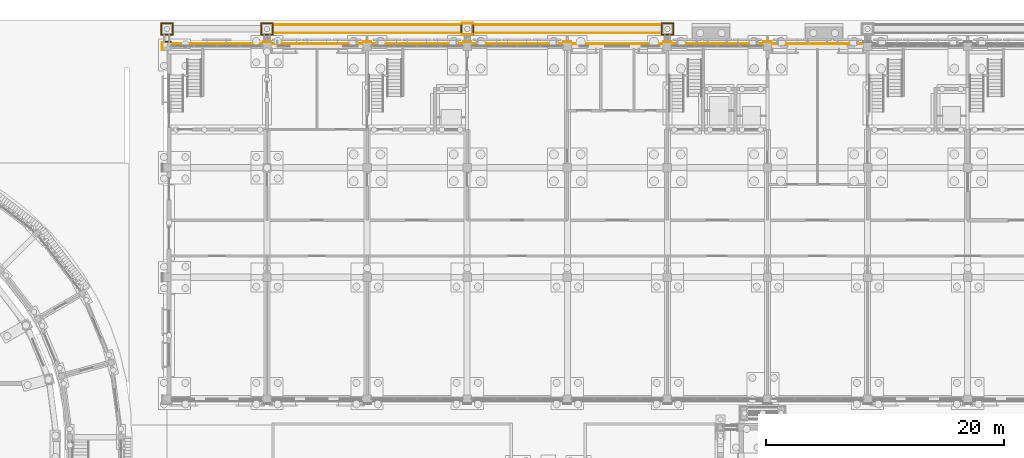
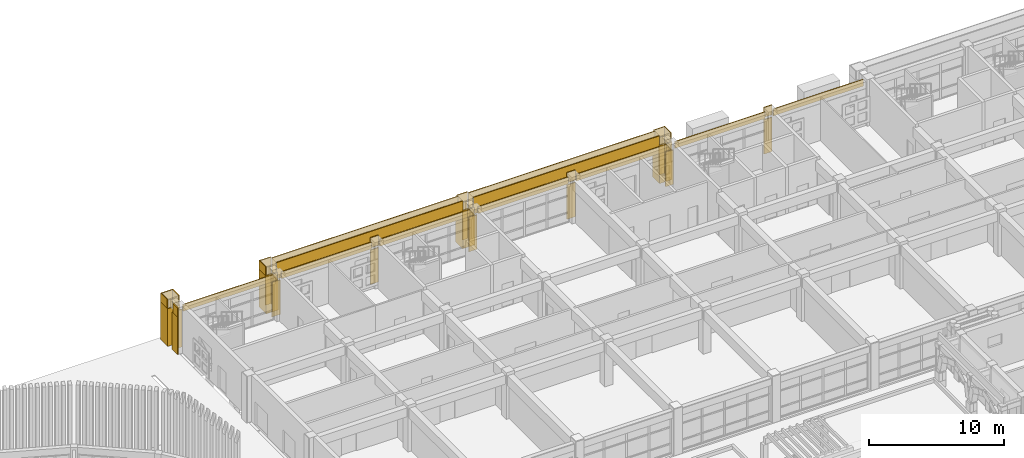
# One storey, part 104 of 112: 38 coverings.
"""IFC4 building model written with IfcOpenShell, lengths in metres."""

from ifc_helpers import new_model, si_unit, direction, frame, origin, place, context, subcontext, project, spatial, polyline, outline, extrude, material, layer, layer_set, type_object, element, save


model = new_model("IFC4")

# Units and contexts
model_context = context("Model", 3, precision=1e-05, world=origin(), true_north=direction((0.0, 1.0)))
body_context = subcontext(model_context, "Body", "Model", "MODEL_VIEW")
ifc_project = project(units=[si_unit("LENGTHUNIT", "METRE"), si_unit("AREAUNIT", "SQUARE_METRE"), si_unit("VOLUMEUNIT", "CUBIC_METRE"), si_unit("PLANEANGLEUNIT", "RADIAN"), si_unit("MASSUNIT", "GRAM", prefix="KILO")], contexts=[model_context])

# Site, building, storey
site_placement = place(None, origin())
site = spatial("IfcSite", under=ifc_project, at=site_placement, CompositionType="ELEMENT")
building_placement = place(site_placement, origin())
building = spatial("IfcBuilding", under=site, at=building_placement, Name="Wasatch Bagh Community Centre", CompositionType="ELEMENT")
storey_placement = place(building_placement, origin())
storey = spatial("IfcBuildingStorey", under=building, at=storey_placement, Name="L00", CompositionType="ELEMENT", Elevation=0.0)

# Coverings
ifc_material = material(Name="Cast stone cladding", Category="masonry")
ifc_layer_1 = layer(ifc_material, 0.080078125)
ifc_layer_set_1 = layer_set([ifc_layer_1], Name="Cast stone cladding")
covering_type_1 = type_object("IfcCoveringType", Name="CL-B7 beam facing", PredefinedType="CLADDING", material=ifc_layer_set_1)
covering_1_placement = place(storey_placement, frame((0.0, 0.0, 3.320068359375)))
element("IfcCovering", 1, at=covering_1_placement, inside=storey, type_object=covering_type_1, Name="Beam facing", PredefinedType="CLADDING", context=body_context, shape_type="SweptSolid", body=[
    extrude(outline(polyline([(64.35009765625, 97.97509765625), (72.050048828125, 97.97509765625), (72.050048828125, 98.054931640625), (64.35009765625, 98.054931640625), (64.35009765625, 97.97509765625)])), origin(), (0.0, 0.0, 1.0), 0.599853515625),
])
covering_2_placement = place(storey_placement, frame((0.0, 0.0, 3.320068359375)))
element("IfcCovering", 2, at=covering_2_placement, inside=storey, type_object=covering_type_1, Name="Beam facing", PredefinedType="CLADDING", context=body_context, shape_type="SweptSolid", body=[
    extrude(outline(polyline([(72.75, 97.97509765625), (80.449951171875, 97.97509765625), (80.449951171875, 98.054931640625), (72.75, 98.054931640625), (72.75, 97.97509765625)])), origin(), (0.0, 0.0, 1.0), 0.599853515625),
])
covering_3_placement = place(storey_placement, frame((0.0, 0.0, 3.320068359375)))
element("IfcCovering", 3, at=covering_3_placement, inside=storey, type_object=covering_type_1, Name="Beam facing", PredefinedType="CLADDING", context=body_context, shape_type="SweptSolid", body=[
    extrude(outline(polyline([(81.14990234375, 97.97509765625), (88.85009765625, 97.97509765625), (88.85009765625, 98.054931640625), (81.14990234375, 98.054931640625), (81.14990234375, 97.97509765625)])), origin(), (0.0, 0.0, 1.0), 0.599853515625),
])
covering_4_placement = place(storey_placement, frame((0.0, 0.0, 3.320068359375)))
element("IfcCovering", 4, at=covering_4_placement, inside=storey, type_object=covering_type_1, Name="Beam facing", PredefinedType="CLADDING", context=body_context, shape_type="SweptSolid", body=[
    extrude(outline(polyline([(89.550048828125, 97.97509765625), (97.25, 97.97509765625), (97.25, 98.054931640625), (89.550048828125, 98.054931640625), (89.550048828125, 97.97509765625)])), origin(), (0.0, 0.0, 1.0), 0.599853515625),
])
covering_5_placement = place(storey_placement, frame((0.0, 0.0, 3.320068359375)))
element("IfcCovering", 5, at=covering_5_placement, inside=storey, type_object=covering_type_1, Name="Beam facing", PredefinedType="CLADDING", context=body_context, shape_type="SweptSolid", body=[
    extrude(outline(polyline([(97.949951171875, 97.97509765625), (105.64990234375, 97.97509765625), (105.64990234375, 98.054931640625), (97.949951171875, 98.054931640625), (97.949951171875, 97.97509765625)])), origin(), (0.0, 0.0, 1.0), 0.599853515625),
])
covering_6_placement = place(storey_placement, frame((0.0, 0.0, 3.320068359375)))
element("IfcCovering", 6, at=covering_6_placement, inside=storey, type_object=covering_type_1, Name="Beam facing", PredefinedType="CLADDING", context=body_context, shape_type="SweptSolid", body=[
    extrude(outline(polyline([(106.35009765625, 97.97509765625), (114.050048828125, 97.97509765625), (114.050048828125, 98.054931640625), (106.35009765625, 98.054931640625), (106.35009765625, 97.97509765625)])), origin(), (0.0, 0.0, 1.0), 0.599853515625),
])
covering_7_placement = place(storey_placement, frame((0.0, 0.0, 3.320068359375)))
element("IfcCovering", 7, at=covering_7_placement, inside=storey, type_object=covering_type_1, Name="Beam facing", PredefinedType="CLADDING", context=body_context, shape_type="SweptSolid", body=[
    extrude(outline(polyline([(114.75, 97.97509765625), (122.449951171875, 97.97509765625), (122.449951171875, 98.054931640625), (114.75, 98.054931640625), (114.75, 97.97509765625)])), origin(), (0.0, 0.0, 1.0), 0.599853515625),
])
covering_8_placement = place(storey_placement, frame((0.0, 0.0, 2.699951171875)))
element("IfcCovering", 8, at=covering_8_placement, inside=storey, type_object=covering_type_1, Name="Beam facing", PredefinedType="CLADDING", context=body_context, shape_type="SweptSolid", body=[
    extrude(outline(polyline([(72.85009765625, 99.550048828125), (88.75, 99.550048828125), (88.75, 99.6298828125), (72.85009765625, 99.6298828125), (72.85009765625, 99.550048828125)])), origin(), (0.0, 0.0, 1.0), 1.5),
])
covering_9_placement = place(storey_placement, frame((0.0, 0.0, 2.699951171875)))
element("IfcCovering", 9, at=covering_9_placement, inside=storey, type_object=covering_type_1, Name="Beam facing", PredefinedType="CLADDING", context=body_context, shape_type="SweptSolid", body=[
    extrude(outline(polyline([(72.85009765625, 98.949951171875), (88.75, 98.949951171875), (88.75, 98.8701171875), (72.85009765625, 98.8701171875), (72.85009765625, 98.949951171875)])), origin(), (0.0, 0.0, 1.0), 1.5),
])
covering_10_placement = place(storey_placement, frame((0.0, 0.0, 2.699951171875)))
element("IfcCovering", 10, at=covering_10_placement, inside=storey, type_object=covering_type_1, Name="Beam facing", PredefinedType="CLADDING", context=body_context, shape_type="SweptSolid", body=[
    extrude(outline(polyline([(89.64990234375, 99.550048828125), (105.550048828125, 99.550048828125), (105.550048828125, 99.6298828125), (89.64990234375, 99.6298828125), (89.64990234375, 99.550048828125)])), origin(), (0.0, 0.0, 1.0), 1.5),
])
covering_11_placement = place(storey_placement, frame((0.0, 0.0, 2.699951171875)))
element("IfcCovering", 11, at=covering_11_placement, inside=storey, type_object=covering_type_1, Name="Beam facing", PredefinedType="CLADDING", context=body_context, shape_type="SweptSolid", body=[
    extrude(outline(polyline([(89.64990234375, 98.949951171875), (105.550048828125, 98.949951171875), (105.550048828125, 98.8701171875), (89.64990234375, 98.8701171875), (89.64990234375, 98.949951171875)])), origin(), (0.0, 0.0, 1.0), 1.5),
])
ifc_layer_2 = layer(ifc_material, 0.080078125)
ifc_layer_set_2 = layer_set([ifc_layer_2], Name="Cast stone cladding")
covering_type_2 = type_object("IfcCoveringType", Name="CL-C1 column facing", PredefinedType="CLADDING", material=ifc_layer_set_2)
covering_12_placement = place(storey_placement, origin())
element("IfcCovering", 12, at=covering_12_placement, inside=storey, type_object=covering_type_2, Name="Column facing", PredefinedType="CLADDING", context=body_context, shape_type="SweptSolid", body=[
    extrude(outline(polyline([(64.0, 99.780029296875), (64.0, 99.699951171875), (63.550048828125, 99.699951171875), (63.550048828125, 98.800048828125), (64.0, 98.800048828125), (64.0, 98.719970703125), (63.469970703125, 98.719970703125), (63.469970703125, 99.780029296875), (64.0, 99.780029296875)])), origin(), (0.0, 0.0, 1.0), 3.39990234375),
])
covering_13_placement = place(storey_placement, origin())
element("IfcCovering", 13, at=covering_13_placement, inside=storey, type_object=covering_type_2, Name="Column facing", PredefinedType="CLADDING", context=body_context, shape_type="SweptSolid", body=[
    extrude(outline(polyline([(64.530029296875, 99.780029296875), (64.530029296875, 98.719970703125), (64.0, 98.719970703125), (64.0, 98.800048828125), (64.449951171875, 98.800048828125), (64.449951171875, 99.699951171875), (64.0, 99.699951171875), (64.0, 99.780029296875), (64.530029296875, 99.780029296875)])), origin(), (0.0, 0.0, 1.0), 3.39990234375),
])
covering_14_placement = place(storey_placement, frame((0.0, 0.0, 3.39990234375)))
element("IfcCovering", 14, at=covering_14_placement, inside=storey, type_object=covering_type_2, Name="Column facing", PredefinedType="CLADDING", context=body_context, shape_type="SweptSolid", body=[
    extrude(outline(polyline([(63.469970703125, 98.800048828125), (63.469970703125, 99.780029296875), (64.530029296875, 99.780029296875), (64.530029296875, 98.800048828125), (64.449951171875, 98.800048828125), (64.449951171875, 99.699951171875), (63.550048828125, 99.699951171875), (63.550048828125, 98.800048828125), (63.469970703125, 98.800048828125)])), origin(), (0.0, 0.0, 1.0), 0.800048828125),
])
covering_15_placement = place(storey_placement, origin())
element("IfcCovering", 15, at=covering_15_placement, inside=storey, type_object=covering_type_2, Name="Column facing", PredefinedType="CLADDING", context=body_context, shape_type="SweptSolid", body=[
    extrude(outline(polyline([(72.39990234375, 99.780029296875), (72.39990234375, 99.699951171875), (71.949951171875, 99.699951171875), (71.949951171875, 98.800048828125), (72.39990234375, 98.800048828125), (72.39990234375, 98.719970703125), (71.8701171875, 98.719970703125), (71.8701171875, 99.780029296875), (72.39990234375, 99.780029296875)])), origin(), (0.0, 0.0, 1.0), 2.699951171875),
])
covering_16_placement = place(storey_placement, origin())
element("IfcCovering", 16, at=covering_16_placement, inside=storey, type_object=covering_type_2, Name="Column facing", PredefinedType="CLADDING", context=body_context, shape_type="SweptSolid", body=[
    extrude(outline(polyline([(72.929931640625, 99.780029296875), (72.929931640625, 98.719970703125), (72.39990234375, 98.719970703125), (72.39990234375, 98.800048828125), (72.85009765625, 98.800048828125), (72.85009765625, 99.699951171875), (72.39990234375, 99.699951171875), (72.39990234375, 99.780029296875), (72.929931640625, 99.780029296875)])), origin(), (0.0, 0.0, 1.0), 2.699951171875),
])
covering_17_placement = place(storey_placement, frame((0.0, 0.0, 2.699951171875)))
element("IfcCovering", 17, at=covering_17_placement, inside=storey, type_object=covering_type_2, Name="Column facing", PredefinedType="CLADDING", context=body_context, shape_type="SweptSolid", body=[
    extrude(outline(polyline([(71.8701171875, 98.719970703125), (71.8701171875, 99.780029296875), (72.85009765625, 99.780029296875), (72.85009765625, 99.699951171875), (71.949951171875, 99.699951171875), (71.949951171875, 98.800048828125), (72.85009765625, 98.800048828125), (72.85009765625, 98.719970703125), (71.8701171875, 98.719970703125)])), origin(), (0.0, 0.0, 1.0), 0.699951171875),
])
covering_18_placement = place(storey_placement, frame((0.0, 0.0, 3.39990234375)))
element("IfcCovering", 18, at=covering_18_placement, inside=storey, type_object=covering_type_2, Name="Column facing", PredefinedType="CLADDING", context=body_context, shape_type="SweptSolid", body=[
    extrude(outline(polyline([(71.949951171875, 98.800048828125), (71.8701171875, 98.800048828125), (71.8701171875, 99.780029296875), (72.85009765625, 99.780029296875), (72.85009765625, 99.699951171875), (71.949951171875, 99.699951171875), (71.949951171875, 98.800048828125)])), origin(), (0.0, 0.0, 1.0), 0.800048828125),
])
covering_19_placement = place(storey_placement, origin())
element("IfcCovering", 19, at=covering_19_placement, inside=storey, type_object=covering_type_2, Name="Column facing", PredefinedType="CLADDING", context=body_context, shape_type="SweptSolid", body=[
    extrude(outline(polyline([(89.199951171875, 99.780029296875), (89.199951171875, 99.699951171875), (88.75, 99.699951171875), (88.75, 98.800048828125), (89.199951171875, 98.800048828125), (89.199951171875, 98.719970703125), (88.669921875, 98.719970703125), (88.669921875, 99.780029296875), (89.199951171875, 99.780029296875)])), origin(), (0.0, 0.0, 1.0), 2.699951171875),
])
covering_20_placement = place(storey_placement, origin())
element("IfcCovering", 20, at=covering_20_placement, inside=storey, type_object=covering_type_2, Name="Column facing", PredefinedType="CLADDING", context=body_context, shape_type="SweptSolid", body=[
    extrude(outline(polyline([(89.72998046875, 99.780029296875), (89.72998046875, 98.719970703125), (89.199951171875, 98.719970703125), (89.199951171875, 98.800048828125), (89.64990234375, 98.800048828125), (89.64990234375, 99.699951171875), (89.199951171875, 99.699951171875), (89.199951171875, 99.780029296875), (89.72998046875, 99.780029296875)])), origin(), (0.0, 0.0, 1.0), 2.699951171875),
])
covering_21_placement = place(storey_placement, frame((0.0, 0.0, 2.699951171875)))
element("IfcCovering", 21, at=covering_21_placement, inside=storey, type_object=covering_type_2, Name="Column facing", PredefinedType="CLADDING", context=body_context, shape_type="SweptSolid", body=[
    extrude(outline(polyline([(88.75, 99.699951171875), (88.75, 99.780029296875), (89.64990234375, 99.780029296875), (89.64990234375, 99.699951171875), (88.75, 99.699951171875)])), origin(), (0.0, 0.0, 1.0), 0.699951171875),
])
covering_22_placement = place(storey_placement, frame((0.0, 0.0, 2.699951171875)))
element("IfcCovering", 22, at=covering_22_placement, inside=storey, type_object=covering_type_2, Name="Column facing", PredefinedType="CLADDING", context=body_context, shape_type="SweptSolid", body=[
    extrude(outline(polyline([(89.64990234375, 98.800048828125), (89.64990234375, 98.719970703125), (88.75, 98.719970703125), (88.75, 98.800048828125), (89.64990234375, 98.800048828125)])), origin(), (0.0, 0.0, 1.0), 0.699951171875),
])
covering_23_placement = place(storey_placement, frame((0.0, 0.0, 3.39990234375)))
element("IfcCovering", 23, at=covering_23_placement, inside=storey, type_object=covering_type_2, Name="Column facing", PredefinedType="CLADDING", context=body_context, shape_type="SweptSolid", body=[
    extrude(outline(polyline([(89.64990234375, 99.699951171875), (88.75, 99.699951171875), (88.75, 99.780029296875), (89.64990234375, 99.780029296875), (89.64990234375, 99.699951171875)])), origin(), (0.0, 0.0, 1.0), 0.800048828125),
])
covering_24_placement = place(storey_placement, origin())
element("IfcCovering", 24, at=covering_24_placement, inside=storey, type_object=covering_type_2, Name="Column facing", PredefinedType="CLADDING", context=body_context, shape_type="SweptSolid", body=[
    extrude(outline(polyline([(106.0, 99.780029296875), (106.0, 99.699951171875), (105.550048828125, 99.699951171875), (105.550048828125, 98.800048828125), (106.0, 98.800048828125), (106.0, 98.719970703125), (105.469970703125, 98.719970703125), (105.469970703125, 99.780029296875), (106.0, 99.780029296875)])), origin(), (0.0, 0.0, 1.0), 2.699951171875),
])
covering_25_placement = place(storey_placement, origin())
element("IfcCovering", 25, at=covering_25_placement, inside=storey, type_object=covering_type_2, Name="Column facing", PredefinedType="CLADDING", context=body_context, shape_type="SweptSolid", body=[
    extrude(outline(polyline([(106.530029296875, 99.780029296875), (106.530029296875, 98.719970703125), (106.0, 98.719970703125), (106.0, 98.800048828125), (106.449951171875, 98.800048828125), (106.449951171875, 99.699951171875), (106.0, 99.699951171875), (106.0, 99.780029296875), (106.530029296875, 99.780029296875)])), origin(), (0.0, 0.0, 1.0), 2.699951171875),
])
covering_26_placement = place(storey_placement, frame((0.0, 0.0, 2.699951171875)))
element("IfcCovering", 26, at=covering_26_placement, inside=storey, type_object=covering_type_2, Name="Column facing", PredefinedType="CLADDING", context=body_context, shape_type="SweptSolid", body=[
    extrude(outline(polyline([(106.530029296875, 98.719970703125), (105.550048828125, 98.719970703125), (105.550048828125, 98.800048828125), (106.449951171875, 98.800048828125), (106.449951171875, 99.699951171875), (105.550048828125, 99.699951171875), (105.550048828125, 99.780029296875), (106.530029296875, 99.780029296875), (106.530029296875, 98.719970703125)])), origin(), (0.0, 0.0, 1.0), 0.699951171875),
])
covering_27_placement = place(storey_placement, frame((0.0, 0.0, 3.39990234375)))
element("IfcCovering", 27, at=covering_27_placement, inside=storey, type_object=covering_type_2, Name="Column facing", PredefinedType="CLADDING", context=body_context, shape_type="SweptSolid", body=[
    extrude(outline(polyline([(106.449951171875, 99.699951171875), (105.550048828125, 99.699951171875), (105.550048828125, 99.780029296875), (106.530029296875, 99.780029296875), (106.530029296875, 98.800048828125), (106.449951171875, 98.800048828125), (106.449951171875, 99.699951171875)])), origin(), (0.0, 0.0, 1.0), 0.800048828125),
])
covering_28_placement = place(storey_placement, origin())
element("IfcCovering", 28, at=covering_28_placement, inside=storey, type_object=covering_type_2, Name="Column facing", PredefinedType="CLADDING", context=body_context, shape_type="SweptSolid", body=[
    extrude(outline(polyline([(63.64990234375, 97.449951171875), (63.570068359375, 97.449951171875), (63.570068359375, 98.22998046875), (64.35009765625, 98.22998046875), (64.35009765625, 98.14990234375), (63.64990234375, 98.14990234375), (63.64990234375, 97.449951171875)])), origin(), (0.0, 0.0, 1.0), 3.39990234375),
])
covering_29_placement = place(storey_placement, frame((0.0, 0.0, 3.39990234375)))
element("IfcCovering", 29, at=covering_29_placement, inside=storey, type_object=covering_type_2, Name="Column facing", PredefinedType="CLADDING", context=body_context, shape_type="SweptSolid", body=[
    extrude(outline(polyline([(63.64990234375, 98.14990234375), (63.64990234375, 97.449951171875), (63.570068359375, 97.449951171875), (63.570068359375, 98.14990234375), (63.64990234375, 98.14990234375)])), origin(), (0.0, 0.0, 1.0), 0.800048828125),
])
covering_30_placement = place(storey_placement, origin())
element("IfcCovering", 30, at=covering_30_placement, inside=storey, type_object=covering_type_2, Name="Column facing", PredefinedType="CLADDING", context=body_context, shape_type="SweptSolid", body=[
    extrude(outline(polyline([(72.75, 98.14990234375), (72.050048828125, 98.14990234375), (72.050048828125, 98.22998046875), (72.75, 98.22998046875), (72.75, 98.14990234375)])), origin(), (0.0, 0.0, 1.0), 3.10009765625),
])
covering_31_placement = place(storey_placement, origin())
element("IfcCovering", 31, at=covering_31_placement, inside=storey, type_object=covering_type_2, Name="Column facing", PredefinedType="CLADDING", context=body_context, shape_type="SweptSolid", body=[
    extrude(outline(polyline([(81.14990234375, 98.14990234375), (80.449951171875, 98.14990234375), (80.449951171875, 98.22998046875), (81.14990234375, 98.22998046875), (81.14990234375, 98.14990234375)])), origin(), (0.0, 0.0, 1.0), 3.10009765625),
])
covering_32_placement = place(storey_placement, frame((0.0, 0.0, 3.320068359375)))
element("IfcCovering", 32, at=covering_32_placement, inside=storey, type_object=covering_type_2, Name="Column facing", PredefinedType="CLADDING", context=body_context, shape_type="SweptSolid", body=[
    extrude(outline(polyline([(81.14990234375, 98.14990234375), (80.449951171875, 98.14990234375), (80.449951171875, 98.22998046875), (81.14990234375, 98.22998046875), (81.14990234375, 98.14990234375)])), origin(), (0.0, 0.0, 1.0), 0.8798828125),
])
covering_33_placement = place(storey_placement, origin())
element("IfcCovering", 33, at=covering_33_placement, inside=storey, type_object=covering_type_2, Name="Column facing", PredefinedType="CLADDING", context=body_context, shape_type="SweptSolid", body=[
    extrude(outline(polyline([(89.550048828125, 98.14990234375), (88.85009765625, 98.14990234375), (88.85009765625, 98.22998046875), (89.550048828125, 98.22998046875), (89.550048828125, 98.14990234375)])), origin(), (0.0, 0.0, 1.0), 3.10009765625),
])
covering_34_placement = place(storey_placement, origin())
element("IfcCovering", 34, at=covering_34_placement, inside=storey, type_object=covering_type_2, Name="Column facing", PredefinedType="CLADDING", context=body_context, shape_type="SweptSolid", body=[
    extrude(outline(polyline([(97.949951171875, 98.14990234375), (97.25, 98.14990234375), (97.25, 98.22998046875), (97.949951171875, 98.22998046875), (97.949951171875, 98.14990234375)])), origin(), (0.0, 0.0, 1.0), 3.10009765625),
])
covering_35_placement = place(storey_placement, frame((0.0, 0.0, 3.320068359375)))
element("IfcCovering", 35, at=covering_35_placement, inside=storey, type_object=covering_type_2, Name="Column facing", PredefinedType="CLADDING", context=body_context, shape_type="SweptSolid", body=[
    extrude(outline(polyline([(97.949951171875, 98.14990234375), (97.25, 98.14990234375), (97.25, 98.22998046875), (97.949951171875, 98.22998046875), (97.949951171875, 98.14990234375)])), origin(), (0.0, 0.0, 1.0), 0.8798828125),
])
covering_36_placement = place(storey_placement, origin())
element("IfcCovering", 36, at=covering_36_placement, inside=storey, type_object=covering_type_2, Name="Column facing", PredefinedType="CLADDING", context=body_context, shape_type="SweptSolid", body=[
    extrude(outline(polyline([(106.35009765625, 98.14990234375), (105.64990234375, 98.14990234375), (105.64990234375, 98.22998046875), (106.35009765625, 98.22998046875), (106.35009765625, 98.14990234375)])), origin(), (0.0, 0.0, 1.0), 3.10009765625),
])
covering_37_placement = place(storey_placement, origin())
element("IfcCovering", 37, at=covering_37_placement, inside=storey, type_object=covering_type_2, Name="Column facing", PredefinedType="CLADDING", context=body_context, shape_type="SweptSolid", body=[
    extrude(outline(polyline([(114.75, 98.14990234375), (114.050048828125, 98.14990234375), (114.050048828125, 98.22998046875), (114.75, 98.22998046875), (114.75, 98.14990234375)])), origin(), (0.0, 0.0, 1.0), 3.10009765625),
])
covering_38_placement = place(storey_placement, frame((0.0, 0.0, 3.320068359375)))
element("IfcCovering", 38, at=covering_38_placement, inside=storey, type_object=covering_type_2, Name="Column facing", PredefinedType="CLADDING", context=body_context, shape_type="SweptSolid", body=[
    extrude(outline(polyline([(114.75, 98.14990234375), (114.050048828125, 98.14990234375), (114.050048828125, 98.22998046875), (114.75, 98.22998046875), (114.75, 98.14990234375)])), origin(), (0.0, 0.0, 1.0), 0.8798828125),
])

save(model, "model.ifc")
